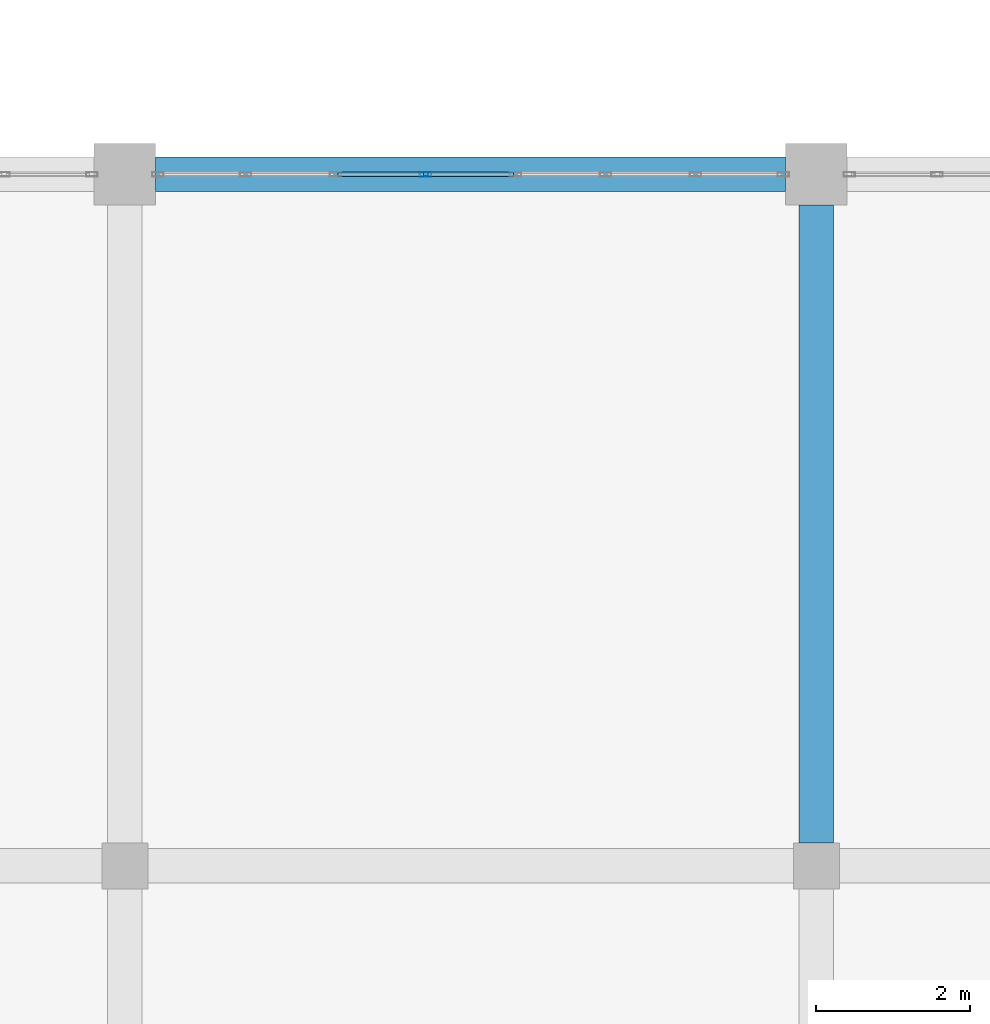
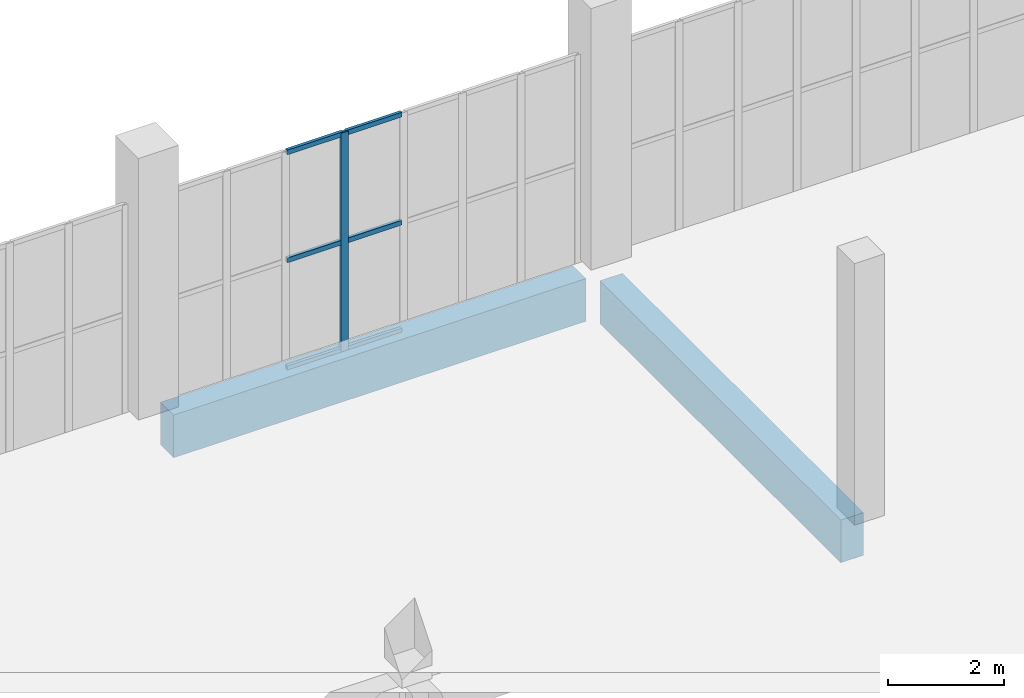
# One storey, part 34 of 185: 7 members, 2 beams, 1 element without a shape of its own.
"""IFC4 building model written with IfcOpenShell, lengths in metres."""

from ifc_helpers import new_model, si_unit, direction, frame, origin, origin_2d, place, context, subcontext, project, spatial, rectangle, hollow_rectangle, extrude, material, layer, layer_set, material_profile, profile_set, type_object, element, aggregate, save


model = new_model("IFC4")

# Units and contexts
model_context = context("Model", 3, precision=1e-05, world=origin(), true_north=direction((0.0, 1.0)))
body_context = subcontext(model_context, "Body", "Model", "MODEL_VIEW")
ifc_project = project(units=[si_unit("LENGTHUNIT", "METRE"), si_unit("AREAUNIT", "SQUARE_METRE"), si_unit("VOLUMEUNIT", "CUBIC_METRE"), si_unit("PLANEANGLEUNIT", "RADIAN"), si_unit("MASSUNIT", "GRAM", prefix="KILO")], contexts=[model_context])

# Site, building, storey
site_placement = place(None, origin())
site = spatial("IfcSite", under=ifc_project, at=site_placement, CompositionType="ELEMENT")
building_placement = place(site_placement, origin())
building = spatial("IfcBuilding", under=site, at=building_placement, Name="Opaline Strait Convention Centre", CompositionType="ELEMENT")
storey_placement = place(building_placement, frame((0.0, 0.0, 6.0)))
storey = spatial("IfcBuildingStorey", under=building, at=storey_placement, Name="L01", CompositionType="ELEMENT", Elevation=6.0)

# Curtain wall, members
ifc_material_1 = material(Name="Aluminium framed double glazing", Category="aluminium")
ifc_layer = layer(ifc_material_1, 0.199951171875)
ifc_layer_set = layer_set([ifc_layer], Name="Aluminium framed double glazing")
curtain_wall_type = type_object("IfcCurtainWallType", Name="Curtain wall 1250", PredefinedType="NOTDEFINED", material=ifc_layer_set)
curtain_wall_placement = place(storey_placement, origin())
curtain_wall = element("IfcCurtainWall", 1, at=curtain_wall_placement, inside=storey, type_object=curtain_wall_type, Name="Curtain wall N-36-L01", PredefinedType="NOTDEFINED")
ifc_material_2 = material(Name="Aluminium alloy 6063", Category="aluminium")
ifc_material_profile_1 = material_profile(ifc_material_2, hollow_rectangle(XDim=0.06005859375, YDim=0.14990234375, WallThickness=0.00390625, at=origin_2d()), Name="MULLION 60x150x4")
ifc_profile_set_1 = profile_set([ifc_material_profile_1], Name="Aluminium alloy 6063")
member_type_1 = type_object("IfcMemberType", Name="Curtain wall mullion 60 x 150", PredefinedType="MULLION", material=ifc_profile_set_1)
member_1_placement = place(storey_placement, frame((39.914306640625, 180.0, -0.280029296875), z_axis=(0.0, 0.0, 1.0), x_axis=(0.0, 1.0, 0.0)))
member_1 = element("IfcMember", 2, at=member_1_placement, type_object=member_type_1, Name="PCW mullion 4", PredefinedType="MULLION", context=body_context, shape_type="SweptSolid", body=[
    extrude(hollow_rectangle(XDim=0.06005859375, YDim=0.14990234375, WallThickness=0.00390625, at=origin_2d()), origin(), (0.0, 0.0, 1.0), 4.60009765625),
])
ifc_material_profile_2 = material_profile(ifc_material_2, hollow_rectangle(XDim=0.06005859375, YDim=0.10009765625, WallThickness=0.0029296875, at=origin_2d()), Name="TRANSOM 60x100x3")
ifc_profile_set_2 = profile_set([ifc_material_profile_2], Name="Aluminium alloy 6063")
member_type_2 = type_object("IfcMemberType", Name="Curtain wall transom 60 x 100", PredefinedType="USERDEFINED", material=ifc_profile_set_2)
member_2_placement = place(storey_placement, frame((38.772705078125, 180.0, -0.25), z_axis=(1.0, 0.0, 0.0), x_axis=(0.0, 1.0, 0.0)))
member_2 = element("IfcMember", 3, at=member_2_placement, type_object=member_type_2, Name="PCW transom 3.1", ObjectType="TRANSOM", PredefinedType="USERDEFINED", context=body_context, shape_type="SweptSolid", body=[
    extrude(hollow_rectangle(XDim=0.06005859375, YDim=0.10009765625, WallThickness=0.0029296875, at=origin_2d()), origin(), (0.0, 0.0, 1.0), 1.111572265625),
])
member_3_placement = place(storey_placement, frame((38.772705078125, 180.0, 2.02001953125), z_axis=(1.0, 0.0, 0.0), x_axis=(0.0, 1.0, 0.0)))
member_3 = element("IfcMember", 4, at=member_3_placement, type_object=member_type_2, Name="PCW transom 3.2", ObjectType="TRANSOM", PredefinedType="USERDEFINED", context=body_context, shape_type="SweptSolid", body=[
    extrude(hollow_rectangle(XDim=0.06005859375, YDim=0.10009765625, WallThickness=0.0029296875, at=origin_2d()), origin(), (0.0, 0.0, 1.0), 1.111572265625),
])
member_4_placement = place(storey_placement, frame((38.772705078125, 180.0, 4.2900390625), z_axis=(1.0, 0.0, 0.0), x_axis=(0.0, 1.0, 0.0)))
member_4 = element("IfcMember", 5, at=member_4_placement, type_object=member_type_2, Name="PCW transom 3.3", ObjectType="TRANSOM", PredefinedType="USERDEFINED", context=body_context, shape_type="SweptSolid", body=[
    extrude(hollow_rectangle(XDim=0.06005859375, YDim=0.10009765625, WallThickness=0.0029296875, at=origin_2d()), origin(), (0.0, 0.0, 1.0), 1.111572265625),
])
member_5_placement = place(storey_placement, frame((39.9443359375, 180.0, -0.25), z_axis=(1.0, 0.0, 0.0), x_axis=(0.0, 1.0, 0.0)))
member_5 = element("IfcMember", 6, at=member_5_placement, type_object=member_type_2, Name="PCW transom 4.1", ObjectType="TRANSOM", PredefinedType="USERDEFINED", context=body_context, shape_type="SweptSolid", body=[
    extrude(hollow_rectangle(XDim=0.06005859375, YDim=0.10009765625, WallThickness=0.0029296875, at=origin_2d()), origin(), (0.0, 0.0, 1.0), 1.111328125),
])
member_6_placement = place(storey_placement, frame((39.9443359375, 180.0, 2.02001953125), z_axis=(1.0, 0.0, 0.0), x_axis=(0.0, 1.0, 0.0)))
member_6 = element("IfcMember", 7, at=member_6_placement, type_object=member_type_2, Name="PCW transom 4.2", ObjectType="TRANSOM", PredefinedType="USERDEFINED", context=body_context, shape_type="SweptSolid", body=[
    extrude(hollow_rectangle(XDim=0.06005859375, YDim=0.10009765625, WallThickness=0.0029296875, at=origin_2d()), origin(), (0.0, 0.0, 1.0), 1.111328125),
])
member_7_placement = place(storey_placement, frame((39.9443359375, 180.0, 4.2900390625), z_axis=(1.0, 0.0, 0.0), x_axis=(0.0, 1.0, 0.0)))
member_7 = element("IfcMember", 8, at=member_7_placement, type_object=member_type_2, Name="PCW transom 4.3", ObjectType="TRANSOM", PredefinedType="USERDEFINED", context=body_context, shape_type="SweptSolid", body=[
    extrude(hollow_rectangle(XDim=0.06005859375, YDim=0.10009765625, WallThickness=0.0029296875, at=origin_2d()), origin(), (0.0, 0.0, 1.0), 1.111328125),
])
aggregate(curtain_wall, [member_1, member_2, member_3, member_4, member_5, member_6, member_7])

# Beams
ifc_material_3 = material(Name="Concrete C35", Category="concrete")
ifc_material_profile_3 = material_profile(ifc_material_3, rectangle(XDim=0.449951171875, YDim=0.89990234375, at=origin_2d()), Name="RC 450x900")
ifc_profile_set_3 = profile_set([ifc_material_profile_3], Name="Concrete C35")
beam_type = type_object("IfcBeamType", Name="RC floor beam 450x900 C35", PredefinedType="BEAM", material=ifc_profile_set_3)
beam_1_placement = place(storey_placement, frame((36.39990234375, 180.0, -0.72998046875), z_axis=(1.0, 0.0, 0.0), x_axis=(0.0, 1.0, 0.0)))
element("IfcBeam", 9, at=beam_1_placement, inside=storey, type_object=beam_type, Name="PFB1 L01 beam 5/W-6/W", PredefinedType="BEAM", context=body_context, shape_type="SweptSolid", body=[
    extrude(rectangle(XDim=0.449951171875, YDim=0.89990234375, at=origin_2d()), origin(), (0.0, 0.0, 1.0), 8.2001953125),
])
beam_2_placement = place(storey_placement, frame((45.0, 171.300048828125, -0.72998046875), z_axis=(0.0, 1.0, 0.0), x_axis=(-1.0, 0.0, 0.0)))
element("IfcBeam", 10, at=beam_2_placement, inside=storey, type_object=beam_type, Name="PFB1 L01 beam 6/V-6/W", PredefinedType="BEAM", context=body_context, shape_type="SweptSolid", body=[
    extrude(rectangle(XDim=0.449951171875, YDim=0.89990234375, at=origin_2d()), origin(), (0.0, 0.0, 1.0), 8.300048828125),
])

save(model, "model.ifc")
